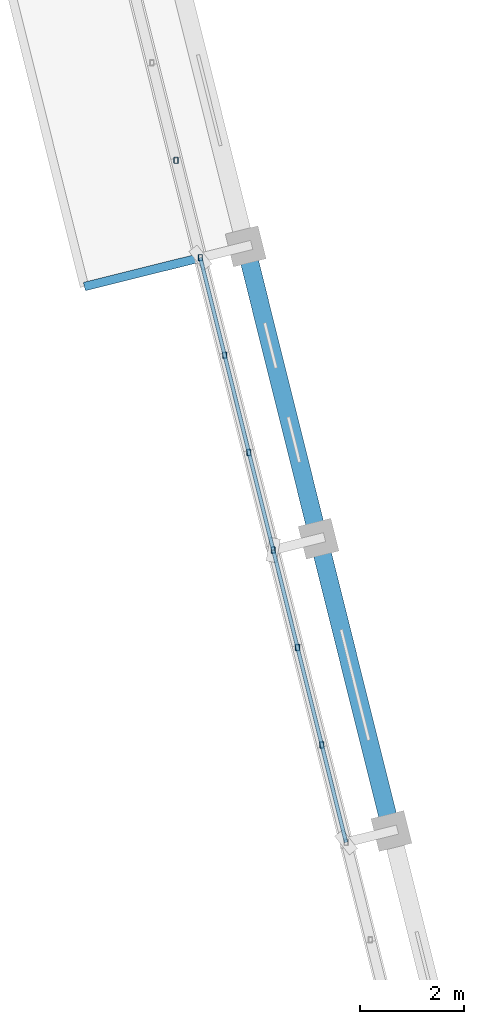
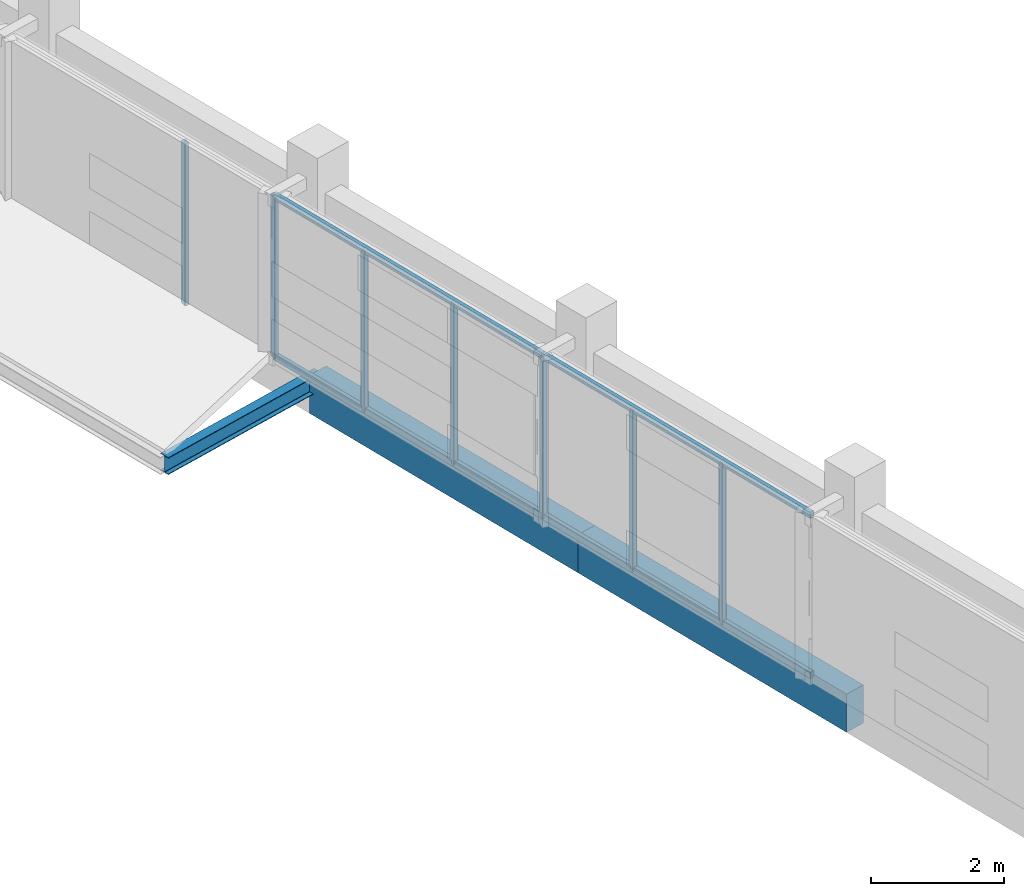
# One storey, part 15 of 137: 11 members, 3 beams.
"""IFC4 building model written with IfcOpenShell, lengths in metres."""

from ifc_helpers import new_model, si_unit, direction, frame, origin, origin_2d, place, context, subcontext, project, spatial, rectangle, hollow_rectangle, i_section, extrude, material, material_profile, profile_set, type_object, element, save


model = new_model("IFC4")

# Units and contexts
model_context = context("Model", 3, precision=1e-05, world=origin(), true_north=direction((0.0, 1.0)))
body_context = subcontext(model_context, "Body", "Model", "MODEL_VIEW")
ifc_project = project(units=[si_unit("LENGTHUNIT", "METRE"), si_unit("AREAUNIT", "SQUARE_METRE"), si_unit("VOLUMEUNIT", "CUBIC_METRE"), si_unit("PLANEANGLEUNIT", "RADIAN"), si_unit("MASSUNIT", "GRAM", prefix="KILO")], contexts=[model_context])

# Site, building, storey
site_placement = place(None, origin())
site = spatial("IfcSite", under=ifc_project, at=site_placement, CompositionType="ELEMENT")
building_placement = place(site_placement, origin())
building = spatial("IfcBuilding", under=site, at=building_placement, Name="Cinderway Yard Community Centre", CompositionType="ELEMENT")
storey_placement = place(building_placement, frame((0.0, 0.0, 4.800048828125)))
storey = spatial("IfcBuildingStorey", under=building, at=storey_placement, Name="L01", CompositionType="ELEMENT", Elevation=4.800048828125)

# Members
ifc_material_1 = material(Name="Steel S355", Category="steel")
ifc_material_profile_1 = material_profile(ifc_material_1, hollow_rectangle(XDim=0.080078125, YDim=0.1201171875, WallThickness=0.00634765625, InnerFilletRadius=0.00634765625, OuterFilletRadius=0.0126953125, at=origin_2d()), Name="Steel S355")
ifc_profile_set_1 = profile_set([ifc_material_profile_1], Name="Steel S355")
member_type = type_object("IfcMemberType", Name="ENV-MEM-SCREEN-RAIL-120", PredefinedType="STRINGER", material=ifc_profile_set_1)
for number, where, z_axis, x_axis, name in (
    (1, (16.1298828125, 36.154052734375, 0.7099609375), (-0.241862090534, 0.970310635396, 0.0), (-0.970310635396, -0.241862090534, 0.0), "Screen support rail 0753-BOT"),
    (2, (16.1298828125, 36.154052734375, 3.639892578125), (-0.241862090534, 0.970310635396, 0.0), (-0.970310635396, -0.241862090534, 0.0), "Screen support rail 0754-TOP"),
):
    element("IfcMember", number, at=place(storey_placement, frame(where, z_axis=z_axis, x_axis=x_axis)), inside=storey, type_object=member_type, Name=name, PredefinedType="STRINGER", context=body_context, shape_type="SweptSolid", body=[
        extrude(hollow_rectangle(XDim=0.080078125, YDim=0.1201171875, WallThickness=0.00634765625, InnerFilletRadius=0.00634765625, OuterFilletRadius=0.0126953125, at=origin_2d()), origin(), (0.0, 0.0, 1.0), 5.800048828125),
    ])
for number, where, z_axis, x_axis, name in (
    (3, (15.662109375, 38.030029296875, 0.68994140625), (0.0, 0.0, 1.0), (1.0, 0.0, 0.0), "Screen vertical mullion 0755"),
    (4, (15.195068359375, 39.906005859375, 0.68994140625), (0.0, 0.0, 1.0), (1.0, 0.0, 0.0), "Screen vertical mullion 0756"),
    (5, (14.72705078125, 41.781982421875, 0.68994140625), (0.0, 0.0, 1.0), (1.0, 0.0, 0.0), "Screen vertical mullion 0757"),
):
    element("IfcMember", number, at=place(storey_placement, frame(where, z_axis=z_axis, x_axis=x_axis)), inside=storey, type_object=member_type, Name=name, PredefinedType="STRINGER", context=body_context, shape_type="SweptSolid", body=[
        extrude(hollow_rectangle(XDim=0.080078125, YDim=0.1201171875, WallThickness=0.00634765625, InnerFilletRadius=0.00634765625, OuterFilletRadius=0.0126953125, at=origin_2d()), origin(), (0.0, 0.0, 1.0), 2.969970703125),
    ])
for number, where, z_axis, x_axis, name in (
    (6, (14.72705078125, 41.781982421875, 0.7099609375), (-0.2419017199, 0.97030075642, 0.0), (-0.97030075642, -0.2419017199, 0.0), "Screen support rail 0759-BOT"),
    (7, (14.72705078125, 41.781982421875, 3.639892578125), (-0.2419017199, 0.97030075642, 0.0), (-0.97030075642, -0.2419017199, 0.0), "Screen support rail 0760-TOP"),
):
    element("IfcMember", number, at=place(storey_placement, frame(where, z_axis=z_axis, x_axis=x_axis)), inside=storey, type_object=member_type, Name=name, PredefinedType="STRINGER", context=body_context, shape_type="SweptSolid", body=[
        extrude(hollow_rectangle(XDim=0.080078125, YDim=0.1201171875, WallThickness=0.00634765625, InnerFilletRadius=0.00634765625, OuterFilletRadius=0.0126953125, at=origin_2d()), origin(), (0.0, 0.0, 1.0), 5.80029296875),
    ])
for number, where, z_axis, x_axis, name in (
    (8, (14.259033203125, 43.657958984375, 0.68994140625), (0.0, 0.0, 1.0), (1.0, 0.0, 0.0), "Screen vertical mullion 0761"),
    (9, (13.7919921875, 45.533935546875, 0.68994140625), (0.0, 0.0, 1.0), (1.0, 0.0, 0.0), "Screen vertical mullion 0762"),
    (10, (13.323974609375, 47.409912109375, 0.68994140625), (0.0, 0.0, 1.0), (1.0, 0.0, 0.0), "Screen vertical mullion 0763"),
    (11, (12.85595703125, 49.285888671875, 0.68994140625), (0.0, 0.0, 1.0), (1.0, 0.0, 0.0), "Screen vertical mullion 0767"),
):
    element("IfcMember", number, at=place(storey_placement, frame(where, z_axis=z_axis, x_axis=x_axis)), inside=storey, type_object=member_type, Name=name, PredefinedType="STRINGER", context=body_context, shape_type="SweptSolid", body=[
        extrude(hollow_rectangle(XDim=0.080078125, YDim=0.1201171875, WallThickness=0.00634765625, InnerFilletRadius=0.00634765625, OuterFilletRadius=0.0126953125, at=origin_2d()), origin(), (0.0, 0.0, 1.0), 2.969970703125),
    ])

# Beams
ifc_material_2 = material(Name="Concrete C35/45", Category="concrete")
ifc_material_profile_2 = material_profile(ifc_material_2, rectangle(XDim=0.35009765625, YDim=0.699951171875, at=origin_2d()), Name="Concrete C35/45")
ifc_profile_set_2 = profile_set([ifc_material_profile_2], Name="Concrete C35/45")
beam_type_1 = type_object("IfcBeamType", Name="STR-BM-RC350X700", PredefinedType="BEAM", material=ifc_profile_set_2)
beam_1_placement = place(storey_placement, frame((17.0029296875, 36.3720703125, -0.35009765625), z_axis=(-0.241862090534, 0.970310635396, 0.0), x_axis=(-0.970310635396, -0.241862090534, 0.0)))
element("IfcBeam", 12, at=beam_1_placement, inside=storey, type_object=beam_type_1, Name="Main Hall west ring beam STR-BM-L01-BG07-0065", PredefinedType="BEAM", context=body_context, shape_type="SweptSolid", body=[
    extrude(rectangle(XDim=0.35009765625, YDim=0.699951171875, at=origin_2d()), origin(), (0.0, 0.0, 1.0), 5.800048828125),
])
beam_2_placement = place(storey_placement, frame((15.60009765625, 42.0, -0.35009765625), z_axis=(-0.2419017199, 0.97030075642, 0.0), x_axis=(-0.97030075642, -0.2419017199, 0.0)))
element("IfcBeam", 13, at=beam_2_placement, inside=storey, type_object=beam_type_1, Name="Main Hall west ring beam STR-BM-L01-BG07-0066", PredefinedType="BEAM", context=body_context, shape_type="SweptSolid", body=[
    extrude(rectangle(XDim=0.35009765625, YDim=0.699951171875, at=origin_2d()), origin(), (0.0, 0.0, 1.0), 5.80029296875),
])
ifc_material_profile_3 = material_profile(ifc_material_1, i_section(OverallWidth=0.166015625, OverallDepth=0.31298828125, WebThickness=0.006591796875, FlangeThickness=0.01123046875, FilletRadius=0.010009765625, at=origin_2d()), Name="Steel S355")
ifc_profile_set_3 = profile_set([ifc_material_profile_3], Name="Steel S355")
beam_type_2 = type_object("IfcBeamType", Name="STR-BM-W310X45", PredefinedType="SPANDREL", material=ifc_profile_set_3)
beam_3_placement = place(storey_placement, frame((11.092041015625, 46.85400390625, -0.156982421875), z_axis=(0.970312800845, 0.241853402947, 0.0), x_axis=(-0.241853402947, 0.970312800845, 0.0)))
element("IfcBeam", 14, at=beam_3_placement, inside=storey, type_object=beam_type_2, Name="Forecourt loggia tie STR-BM-L01-SS01-1155", PredefinedType="SPANDREL", context=body_context, shape_type="SweptSolid", body=[
    extrude(i_section(OverallWidth=0.166015625, OverallDepth=0.31298828125, WebThickness=0.006591796875, FlangeThickness=0.01123046875, FilletRadius=0.010009765625, at=origin_2d()), origin(), (0.0, 0.0, 1.0), 3.199951171875),
])

save(model, "model.ifc")
